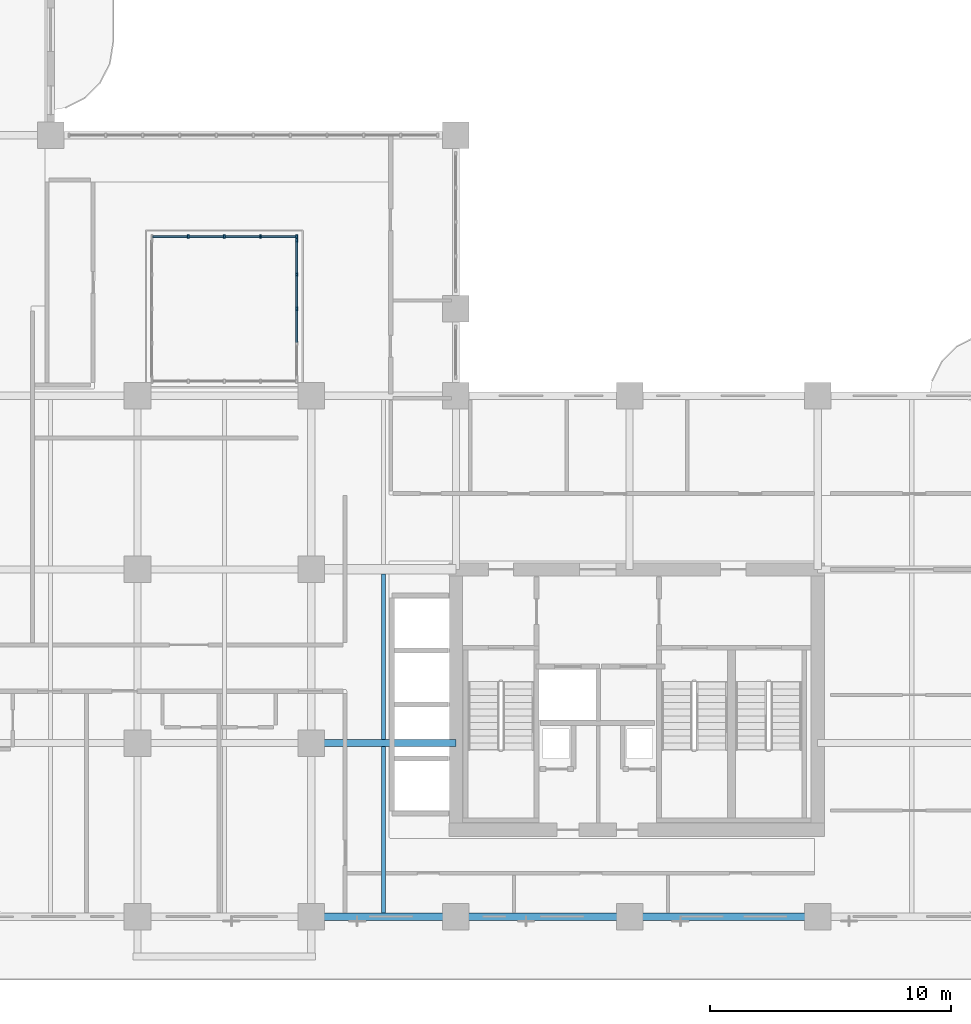
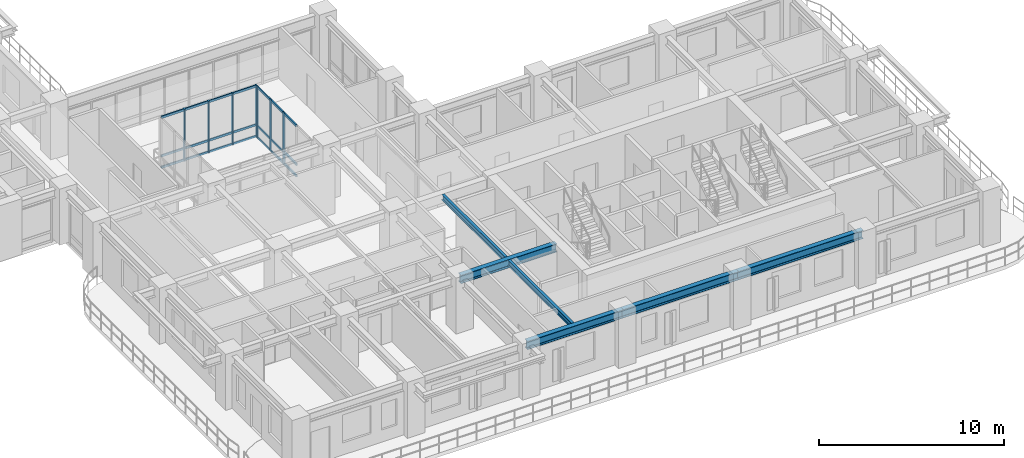
# One storey, part 3 of 22: 28 members, 6 beams, 2 elements without a shape of their own.
"""IFC4 building model written with IfcOpenShell, lengths in metres."""

from ifc_helpers import new_model, si_unit, derived_unit, direction, frame, origin, origin_2d, place, context, subcontext, project, spatial, rectangle, i_section, extrude, source, transform, mapped, material, layer, layer_set, material_profile, profile_set, type_object, type_shapes, element, aggregate, save


model = new_model("IFC4")

# Units and contexts
model_context = context("Model", 3, precision=1e-05, world=origin(), true_north=direction((0.0, 1.0)))
body_context = subcontext(model_context, "Body", "Model", "MODEL_VIEW")
ifc_project = project(units=[si_unit("LENGTHUNIT", "METRE"), si_unit("AREAUNIT", "SQUARE_METRE"), si_unit("VOLUMEUNIT", "CUBIC_METRE"), si_unit("PLANEANGLEUNIT", "RADIAN"), si_unit("MASSUNIT", "GRAM", prefix="KILO"), si_unit("THERMODYNAMICTEMPERATUREUNIT", "KELVIN"), si_unit("POWERUNIT", "WATT"), derived_unit("THERMALTRANSMITTANCEUNIT", [(si_unit("POWERUNIT", "WATT"), 1), (si_unit("AREAUNIT", "SQUARE_METRE"), -1), (si_unit("THERMODYNAMICTEMPERATUREUNIT", "KELVIN"), -1)])], contexts=[model_context])

# Site, building, storey
site_placement = place(None, origin())
site = spatial("IfcSite", under=ifc_project, at=site_placement, CompositionType="ELEMENT")
building_placement = place(site_placement, origin())
building = spatial("IfcBuilding", under=site, at=building_placement, Name="Zahravan Archway Hotel and Residences", CompositionType="ELEMENT")
storey_placement = place(building_placement, frame((0.0, 0.0, 76.800048828125)))
storey = spatial("IfcBuildingStorey", under=building, at=storey_placement, Name="L18", CompositionType="ELEMENT", Elevation=76.800048828125)

# Beams
ifc_material_1 = material(Name="Structural Steel S355JR", Category="steel")
ifc_material_profile_1 = material_profile(ifc_material_1, i_section(OverallWidth=0.300048828125, OverallDepth=0.550048828125, WebThickness=0.014892578125, FlangeThickness=0.029052734375, FilletRadius=0.027099609375, at=origin_2d()), Name="HEB 550", Category="steel")
ifc_profile_set_1 = profile_set([ifc_material_profile_1], Name="Structural Steel S355JR")
beam_type_1 = type_object("IfcBeamType", Name="BM-PRI-HEB550", PredefinedType="BEAM", material=ifc_profile_set_1)
shared_shape_1 = source(origin(), body_context, "Body", "SweptSolid", [
    extrude(i_section(OverallWidth=0.300048828125, OverallDepth=0.550048828125, WebThickness=0.014892578125, FlangeThickness=0.029052734375, FilletRadius=0.027099609375, at=origin_2d()), origin(), (0.0, 0.0, 1.0), 7.199951171875),
])
beam_1_placement = place(storey_placement, frame((34.800048828125, 0.0, 3.175048828125), z_axis=(1.0, 0.0, 0.0), x_axis=(0.0, 1.0, 0.0)))
element("IfcBeam", 1, at=beam_1_placement, inside=storey, type_object=beam_type_1, Name="L18 Primary Girder EW-04", PredefinedType="BEAM", context=body_context, shape_type="MappedRepresentation", body=[
    mapped(shared_shape_1, transform((0.0, 0.0, 0.0), scale=1.0)),
])
shared_shape_2 = source(origin(), body_context, "Body", "SweptSolid", [
    extrude(i_section(OverallWidth=0.300048828125, OverallDepth=0.550048828125, WebThickness=0.014892578125, FlangeThickness=0.029052734375, FilletRadius=0.027099609375, at=origin_2d()), origin(), (0.0, 0.0, 1.0), 6.0),
])
for number, where, z_axis, x_axis, name in (
    (2, (28.800048828125, 0.0, 3.175048828125), (1.0, 0.0, 0.0), (0.0, 1.0, 0.0), "L18 Primary Girder EW-03"),
    (3, (28.800048828125, 7.199951171875, 3.175048828125), (1.0, 0.0, 0.0), (0.0, 1.0, 0.0), "L18 Primary Girder EW-09"),
):
    element("IfcBeam", number, at=place(storey_placement, frame(where, z_axis=z_axis, x_axis=x_axis)), inside=storey, type_object=beam_type_1, Name=name, PredefinedType="BEAM", context=body_context, shape_type="MappedRepresentation", body=[
        mapped(shared_shape_2, transform((0.0, 0.0, 0.0), scale=1.0)),
    ])
shared_shape_3 = source(origin(), body_context, "Body", "SweptSolid", [
    extrude(i_section(OverallWidth=0.300048828125, OverallDepth=0.550048828125, WebThickness=0.014892578125, FlangeThickness=0.029052734375, FilletRadius=0.027099609375, at=origin_2d()), origin(), (0.0, 0.0, 1.0), 7.800048828125),
])
beam_2_placement = place(storey_placement, frame((42.0, 0.0, 3.175048828125), z_axis=(1.0, 0.0, 0.0), x_axis=(0.0, 1.0, 0.0)))
element("IfcBeam", 4, at=beam_2_placement, inside=storey, type_object=beam_type_1, Name="L18 Primary Girder EW-05", PredefinedType="BEAM", context=body_context, shape_type="MappedRepresentation", body=[
    mapped(shared_shape_3, transform((0.0, 0.0, 0.0), scale=1.0)),
])
ifc_material_profile_2 = material_profile(ifc_material_1, i_section(OverallWidth=0.169921875, OverallDepth=0.360107421875, WebThickness=0.008056640625, FlangeThickness=0.0126953125, FilletRadius=0.01806640625, at=origin_2d()), Name="IPE 360", Category="steel")
ifc_profile_set_2 = profile_set([ifc_material_profile_2], Name="Structural Steel S355JR")
beam_type_2 = type_object("IfcBeamType", Name="BM-JST-IPE360", PredefinedType="JOIST", material=ifc_profile_set_2)
shared_shape_4 = source(origin(), body_context, "Body", "SweptSolid", [
    extrude(i_section(OverallWidth=0.169921875, OverallDepth=0.360107421875, WebThickness=0.008056640625, FlangeThickness=0.0126953125, FilletRadius=0.01806640625, at=origin_2d()), origin(), (0.0, 0.0, 1.0), 6.904052734375),
])
type_shapes(beam_type_2, [shared_shape_4])
beam_3_placement = place(storey_placement, frame((31.800048828125, 0.14794921875, 3.27001953125), z_axis=(0.0, 1.0, 0.0), x_axis=(-1.0, 0.0, 0.0)))
element("IfcBeam", 5, at=beam_3_placement, inside=storey, type_object=beam_type_2, Name="L18 Composite Floor Joist 03", PredefinedType="JOIST", context=body_context, shape_type="MappedRepresentation", body=[
    mapped(shared_shape_4, transform((0.0, 0.0, 0.0), scale=1.0)),
])
shared_shape_5 = source(origin(), body_context, "Body", "SweptSolid", [
    extrude(i_section(OverallWidth=0.169921875, OverallDepth=0.360107421875, WebThickness=0.008056640625, FlangeThickness=0.0126953125, FilletRadius=0.01806640625, at=origin_2d()), origin(), (0.0, 0.0, 1.0), 6.85400390625),
])
beam_4_placement = place(storey_placement, frame((31.800048828125, 7.347900390625, 3.27001953125), z_axis=(0.0, 1.0, 0.0), x_axis=(-1.0, 0.0, 0.0)))
element("IfcBeam", 6, at=beam_4_placement, inside=storey, type_object=beam_type_2, Name="L18 Composite Floor Joist 07", PredefinedType="JOIST", context=body_context, shape_type="MappedRepresentation", body=[
    mapped(shared_shape_5, transform((0.0, 0.0, 0.0), scale=1.0)),
])

# Curtain wall, members
ifc_material_2 = material(Name="Bronze-Anodized Unitised Aluminium & Low-E Glass", Category="aluminium")
ifc_layer = layer(ifc_material_2, 0.179931640625, Name="Bronze-Anodized Unitised Aluminium & Low-E Glass", Category="aluminium")
ifc_layer_set = layer_set([ifc_layer], Name="Bronze-Anodized Unitised Aluminium & Low-E Glass")
curtain_wall_type = type_object("IfcCurtainWallType", Name="CW-ATR-GLAZ", PredefinedType="NOTDEFINED", material=ifc_layer_set)
curtain_wall_1_placement = place(storey_placement, origin())
curtain_wall_1 = element("IfcCurtainWall", 7, at=curtain_wall_1_placement, inside=storey, type_object=curtain_wall_type, Name="L18 Curtain Wall CW-ATR-L18-N-1", PredefinedType="NOTDEFINED")
ifc_material_3 = material(Name="Bronze-Anodized Extruded Aluminium", Category="aluminium")
ifc_material_profile_3 = material_profile(ifc_material_3, rectangle(XDim=0.080078125, YDim=0.159912109375, at=origin_2d()), Name="MUL 80x160", Category="aluminium")
ifc_profile_set_3 = profile_set([ifc_material_profile_3], Name="Bronze-Anodized Extruded Aluminium")
member_type_1 = type_object("IfcMemberType", Name="CWM-MUL-160", PredefinedType="MULLION", material=ifc_profile_set_3)
shared_shape_6 = source(origin(), body_context, "Body", "SweptSolid", [
    extrude(rectangle(XDim=0.080078125, YDim=0.159912109375, at=origin_2d()), origin(), (0.0, 0.0, 1.0), 3.449951171875),
])
member_1_placement = place(storey_placement, frame((23.699951171875, 28.199951171875, 0.0), z_axis=(0.0, 0.0, 1.0), x_axis=(1.0, 0.0, 0.0)))
member_1 = element("IfcMember", 8, at=member_1_placement, type_object=member_type_1, Name="CW-ATR-L18-N-1 Mullion 1", PredefinedType="MULLION", context=body_context, shape_type="MappedRepresentation", body=[
    mapped(shared_shape_6, transform((0.0, 0.0, 0.0), scale=1.0)),
])
member_2_placement = place(storey_placement, frame((25.199951171875, 28.199951171875, 0.0), z_axis=(0.0, 0.0, 1.0), x_axis=(1.0, 0.0, 0.0)))
member_2 = element("IfcMember", 9, at=member_2_placement, type_object=member_type_1, Name="CW-ATR-L18-N-1 Mullion 2", PredefinedType="MULLION", context=body_context, shape_type="MappedRepresentation", body=[
    mapped(shared_shape_6, transform((0.0, 0.0, 0.0), scale=1.0)),
])
member_3_placement = place(storey_placement, frame((26.699951171875, 28.199951171875, 0.0), z_axis=(0.0, 0.0, 1.0), x_axis=(1.0, 0.0, 0.0)))
member_3 = element("IfcMember", 10, at=member_3_placement, type_object=member_type_1, Name="CW-ATR-L18-N-1 Mullion 3", PredefinedType="MULLION", context=body_context, shape_type="MappedRepresentation", body=[
    mapped(shared_shape_6, transform((0.0, 0.0, 0.0), scale=1.0)),
])
member_4_placement = place(storey_placement, frame((28.199951171875, 28.199951171875, 0.0), z_axis=(0.0, 0.0, 1.0), x_axis=(1.0, 0.0, 0.0)))
member_4 = element("IfcMember", 11, at=member_4_placement, type_object=member_type_1, Name="CW-ATR-L18-N-1 Mullion 4", PredefinedType="MULLION", context=body_context, shape_type="MappedRepresentation", body=[
    mapped(shared_shape_6, transform((0.0, 0.0, 0.0), scale=1.0)),
])

curtain_wall_2_placement = place(storey_placement, origin())
curtain_wall_2 = element("IfcCurtainWall", 12, at=curtain_wall_2_placement, inside=storey, type_object=curtain_wall_type, Name="L18 Curtain Wall CW-ATR-L18-E-1", PredefinedType="NOTDEFINED")
member_5_placement = place(storey_placement, frame((28.199951171875, 25.199951171875, 0.0), z_axis=(0.0, 0.0, 1.0), x_axis=(1.0, 0.0, 0.0)))
member_5 = element("IfcMember", 13, at=member_5_placement, type_object=member_type_1, Name="CW-ATR-L18-E-1 Mullion 2", PredefinedType="MULLION", context=body_context, shape_type="MappedRepresentation", body=[
    mapped(shared_shape_6, transform((0.0, 0.0, 0.0), scale=1.0)),
])
member_6_placement = place(storey_placement, frame((28.199951171875, 26.625, 0.0), z_axis=(0.0, 0.0, 1.0), x_axis=(1.0, 0.0, 0.0)))
member_6 = element("IfcMember", 14, at=member_6_placement, type_object=member_type_1, Name="CW-ATR-L18-E-1 Mullion 3", PredefinedType="MULLION", context=body_context, shape_type="MappedRepresentation", body=[
    mapped(shared_shape_6, transform((0.0, 0.0, 0.0), scale=1.0)),
])
member_7_placement = place(storey_placement, frame((28.199951171875, 28.050048828125, 0.0), z_axis=(0.0, 0.0, 1.0), x_axis=(1.0, 0.0, 0.0)))
member_7 = element("IfcMember", 15, at=member_7_placement, type_object=member_type_1, Name="CW-ATR-L18-E-1 Mullion 4", PredefinedType="MULLION", context=body_context, shape_type="MappedRepresentation", body=[
    mapped(shared_shape_6, transform((0.0, 0.0, 0.0), scale=1.0)),
])

# Member
ifc_material_profile_4 = material_profile(ifc_material_3, rectangle(XDim=0.080078125, YDim=0.139892578125, at=origin_2d()), Name="TRN 80x140", Category="aluminium")
ifc_profile_set_4 = profile_set([ifc_material_profile_4], Name="Bronze-Anodized Extruded Aluminium")
member_type_2 = type_object("IfcMemberType", Name="CWM-TRN-140", PredefinedType="USERDEFINED", material=ifc_profile_set_4)
shared_shape_7 = source(origin(), body_context, "Body", "SweptSolid", [
    extrude(rectangle(XDim=0.080078125, YDim=0.139892578125, at=origin_2d()), origin(), (0.0, 0.0, 1.0), 1.419921875),
])
member_8_placement = place(storey_placement, frame((22.239990234375, 28.199951171875, 0.070068359375), z_axis=(1.0, 0.0, 0.0), x_axis=(0.0, 1.0, 0.0)))
member_8 = element("IfcMember", 16, at=member_8_placement, type_object=member_type_2, Name="CW-ATR-L18-N-1 Transom 0-1", ObjectType="TRANSOM", PredefinedType="USERDEFINED", context=body_context, shape_type="MappedRepresentation", body=[
    mapped(shared_shape_7, transform((0.0, 0.0, 0.0), scale=1.0)),
])

member_9_placement = place(storey_placement, frame((22.239990234375, 28.199951171875, 0.827880859375), z_axis=(1.0, 0.0, 0.0), x_axis=(0.0, 1.0, 0.0)))
member_9 = element("IfcMember", 17, at=member_9_placement, type_object=member_type_2, Name="CW-ATR-L18-N-1 Transom 0-2", ObjectType="TRANSOM", PredefinedType="USERDEFINED", context=body_context, shape_type="MappedRepresentation", body=[
    mapped(shared_shape_7, transform((0.0, 0.0, 0.0), scale=1.0)),
])

member_10_placement = place(storey_placement, frame((22.239990234375, 28.199951171875, 3.3798828125), z_axis=(1.0, 0.0, 0.0), x_axis=(0.0, 1.0, 0.0)))
member_10 = element("IfcMember", 18, at=member_10_placement, type_object=member_type_2, Name="CW-ATR-L18-N-1 Transom 0-3", ObjectType="TRANSOM", PredefinedType="USERDEFINED", context=body_context, shape_type="MappedRepresentation", body=[
    mapped(shared_shape_7, transform((0.0, 0.0, 0.0), scale=1.0)),
])

member_11_placement = place(storey_placement, frame((23.739990234375, 28.199951171875, 0.070068359375), z_axis=(1.0, 0.0, 0.0), x_axis=(0.0, 1.0, 0.0)))
member_11 = element("IfcMember", 19, at=member_11_placement, type_object=member_type_2, Name="CW-ATR-L18-N-1 Transom 1-1", ObjectType="TRANSOM", PredefinedType="USERDEFINED", context=body_context, shape_type="MappedRepresentation", body=[
    mapped(shared_shape_7, transform((0.0, 0.0, 0.0), scale=1.0)),
])

member_12_placement = place(storey_placement, frame((23.739990234375, 28.199951171875, 0.827880859375), z_axis=(1.0, 0.0, 0.0), x_axis=(0.0, 1.0, 0.0)))
member_12 = element("IfcMember", 20, at=member_12_placement, type_object=member_type_2, Name="CW-ATR-L18-N-1 Transom 1-2", ObjectType="TRANSOM", PredefinedType="USERDEFINED", context=body_context, shape_type="MappedRepresentation", body=[
    mapped(shared_shape_7, transform((0.0, 0.0, 0.0), scale=1.0)),
])

member_13_placement = place(storey_placement, frame((23.739990234375, 28.199951171875, 3.3798828125), z_axis=(1.0, 0.0, 0.0), x_axis=(0.0, 1.0, 0.0)))
member_13 = element("IfcMember", 21, at=member_13_placement, type_object=member_type_2, Name="CW-ATR-L18-N-1 Transom 1-3", ObjectType="TRANSOM", PredefinedType="USERDEFINED", context=body_context, shape_type="MappedRepresentation", body=[
    mapped(shared_shape_7, transform((0.0, 0.0, 0.0), scale=1.0)),
])

member_14_placement = place(storey_placement, frame((25.239990234375, 28.199951171875, 0.070068359375), z_axis=(1.0, 0.0, 0.0), x_axis=(0.0, 1.0, 0.0)))
member_14 = element("IfcMember", 22, at=member_14_placement, type_object=member_type_2, Name="CW-ATR-L18-N-1 Transom 2-1", ObjectType="TRANSOM", PredefinedType="USERDEFINED", context=body_context, shape_type="MappedRepresentation", body=[
    mapped(shared_shape_7, transform((0.0, 0.0, 0.0), scale=1.0)),
])

member_15_placement = place(storey_placement, frame((25.239990234375, 28.199951171875, 0.827880859375), z_axis=(1.0, 0.0, 0.0), x_axis=(0.0, 1.0, 0.0)))
member_15 = element("IfcMember", 23, at=member_15_placement, type_object=member_type_2, Name="CW-ATR-L18-N-1 Transom 2-2", ObjectType="TRANSOM", PredefinedType="USERDEFINED", context=body_context, shape_type="MappedRepresentation", body=[
    mapped(shared_shape_7, transform((0.0, 0.0, 0.0), scale=1.0)),
])

member_16_placement = place(storey_placement, frame((25.239990234375, 28.199951171875, 3.3798828125), z_axis=(1.0, 0.0, 0.0), x_axis=(0.0, 1.0, 0.0)))
member_16 = element("IfcMember", 24, at=member_16_placement, type_object=member_type_2, Name="CW-ATR-L18-N-1 Transom 2-3", ObjectType="TRANSOM", PredefinedType="USERDEFINED", context=body_context, shape_type="MappedRepresentation", body=[
    mapped(shared_shape_7, transform((0.0, 0.0, 0.0), scale=1.0)),
])

member_17_placement = place(storey_placement, frame((26.739990234375, 28.199951171875, 0.070068359375), z_axis=(1.0, 0.0, 0.0), x_axis=(0.0, 1.0, 0.0)))
member_17 = element("IfcMember", 25, at=member_17_placement, type_object=member_type_2, Name="CW-ATR-L18-N-1 Transom 3-1", ObjectType="TRANSOM", PredefinedType="USERDEFINED", context=body_context, shape_type="MappedRepresentation", body=[
    mapped(shared_shape_7, transform((0.0, 0.0, 0.0), scale=1.0)),
])

member_18_placement = place(storey_placement, frame((26.739990234375, 28.199951171875, 0.827880859375), z_axis=(1.0, 0.0, 0.0), x_axis=(0.0, 1.0, 0.0)))
member_18 = element("IfcMember", 26, at=member_18_placement, type_object=member_type_2, Name="CW-ATR-L18-N-1 Transom 3-2", ObjectType="TRANSOM", PredefinedType="USERDEFINED", context=body_context, shape_type="MappedRepresentation", body=[
    mapped(shared_shape_7, transform((0.0, 0.0, 0.0), scale=1.0)),
])

member_19_placement = place(storey_placement, frame((26.739990234375, 28.199951171875, 3.3798828125), z_axis=(1.0, 0.0, 0.0), x_axis=(0.0, 1.0, 0.0)))
member_19 = element("IfcMember", 27, at=member_19_placement, type_object=member_type_2, Name="CW-ATR-L18-N-1 Transom 3-3", ObjectType="TRANSOM", PredefinedType="USERDEFINED", context=body_context, shape_type="MappedRepresentation", body=[
    mapped(shared_shape_7, transform((0.0, 0.0, 0.0), scale=1.0)),
])

aggregate(curtain_wall_1, [member_1, member_2, member_3, member_4, member_8, member_9, member_10, member_11, member_12, member_13, member_14, member_15, member_16, member_17, member_18, member_19])

shared_shape_8 = source(origin(), body_context, "Body", "SweptSolid", [
    extrude(rectangle(XDim=0.080078125, YDim=0.139892578125, at=origin_2d()), origin(), (0.0, 0.0, 1.0), 1.344970703125),
])
member_20_placement = place(storey_placement, frame((28.199951171875, 23.81494140625, 0.070068359375), z_axis=(0.0, 1.0, 0.0), x_axis=(-1.0, 0.0, 0.0)))
member_20 = element("IfcMember", 28, at=member_20_placement, type_object=member_type_2, Name="CW-ATR-L18-E-1 Transom 1-1", ObjectType="TRANSOM", PredefinedType="USERDEFINED", context=body_context, shape_type="MappedRepresentation", body=[
    mapped(shared_shape_8, transform((0.0, 0.0, 0.0), scale=1.0)),
])

member_21_placement = place(storey_placement, frame((28.199951171875, 23.81494140625, 0.827880859375), z_axis=(0.0, 1.0, 0.0), x_axis=(-1.0, 0.0, 0.0)))
member_21 = element("IfcMember", 29, at=member_21_placement, type_object=member_type_2, Name="CW-ATR-L18-E-1 Transom 1-2", ObjectType="TRANSOM", PredefinedType="USERDEFINED", context=body_context, shape_type="MappedRepresentation", body=[
    mapped(shared_shape_8, transform((0.0, 0.0, 0.0), scale=1.0)),
])

member_22_placement = place(storey_placement, frame((28.199951171875, 23.81494140625, 3.3798828125), z_axis=(0.0, 1.0, 0.0), x_axis=(-1.0, 0.0, 0.0)))
member_22 = element("IfcMember", 30, at=member_22_placement, type_object=member_type_2, Name="CW-ATR-L18-E-1 Transom 1-3", ObjectType="TRANSOM", PredefinedType="USERDEFINED", context=body_context, shape_type="MappedRepresentation", body=[
    mapped(shared_shape_8, transform((0.0, 0.0, 0.0), scale=1.0)),
])

member_23_placement = place(storey_placement, frame((28.199951171875, 25.239990234375, 0.070068359375), z_axis=(0.0, 1.0, 0.0), x_axis=(-1.0, 0.0, 0.0)))
member_23 = element("IfcMember", 31, at=member_23_placement, type_object=member_type_2, Name="CW-ATR-L18-E-1 Transom 2-1", ObjectType="TRANSOM", PredefinedType="USERDEFINED", context=body_context, shape_type="MappedRepresentation", body=[
    mapped(shared_shape_8, transform((0.0, 0.0, 0.0), scale=1.0)),
])

member_24_placement = place(storey_placement, frame((28.199951171875, 25.239990234375, 0.827880859375), z_axis=(0.0, 1.0, 0.0), x_axis=(-1.0, 0.0, 0.0)))
member_24 = element("IfcMember", 32, at=member_24_placement, type_object=member_type_2, Name="CW-ATR-L18-E-1 Transom 2-2", ObjectType="TRANSOM", PredefinedType="USERDEFINED", context=body_context, shape_type="MappedRepresentation", body=[
    mapped(shared_shape_8, transform((0.0, 0.0, 0.0), scale=1.0)),
])

member_25_placement = place(storey_placement, frame((28.199951171875, 25.239990234375, 3.3798828125), z_axis=(0.0, 1.0, 0.0), x_axis=(-1.0, 0.0, 0.0)))
member_25 = element("IfcMember", 33, at=member_25_placement, type_object=member_type_2, Name="CW-ATR-L18-E-1 Transom 2-3", ObjectType="TRANSOM", PredefinedType="USERDEFINED", context=body_context, shape_type="MappedRepresentation", body=[
    mapped(shared_shape_8, transform((0.0, 0.0, 0.0), scale=1.0)),
])

member_26_placement = place(storey_placement, frame((28.199951171875, 26.6650390625, 0.070068359375), z_axis=(0.0, 1.0, 0.0), x_axis=(-1.0, 0.0, 0.0)))
member_26 = element("IfcMember", 34, at=member_26_placement, type_object=member_type_2, Name="CW-ATR-L18-E-1 Transom 3-1", ObjectType="TRANSOM", PredefinedType="USERDEFINED", context=body_context, shape_type="MappedRepresentation", body=[
    mapped(shared_shape_8, transform((0.0, 0.0, 0.0), scale=1.0)),
])

member_27_placement = place(storey_placement, frame((28.199951171875, 26.6650390625, 0.827880859375), z_axis=(0.0, 1.0, 0.0), x_axis=(-1.0, 0.0, 0.0)))
member_27 = element("IfcMember", 35, at=member_27_placement, type_object=member_type_2, Name="CW-ATR-L18-E-1 Transom 3-2", ObjectType="TRANSOM", PredefinedType="USERDEFINED", context=body_context, shape_type="MappedRepresentation", body=[
    mapped(shared_shape_8, transform((0.0, 0.0, 0.0), scale=1.0)),
])

member_28_placement = place(storey_placement, frame((28.199951171875, 26.6650390625, 3.3798828125), z_axis=(0.0, 1.0, 0.0), x_axis=(-1.0, 0.0, 0.0)))
member_28 = element("IfcMember", 36, at=member_28_placement, type_object=member_type_2, Name="CW-ATR-L18-E-1 Transom 3-3", ObjectType="TRANSOM", PredefinedType="USERDEFINED", context=body_context, shape_type="MappedRepresentation", body=[
    mapped(shared_shape_8, transform((0.0, 0.0, 0.0), scale=1.0)),
])

aggregate(curtain_wall_2, [member_5, member_6, member_7, member_20, member_21, member_22, member_23, member_24, member_25, member_26, member_27, member_28])

save(model, "model.ifc")
